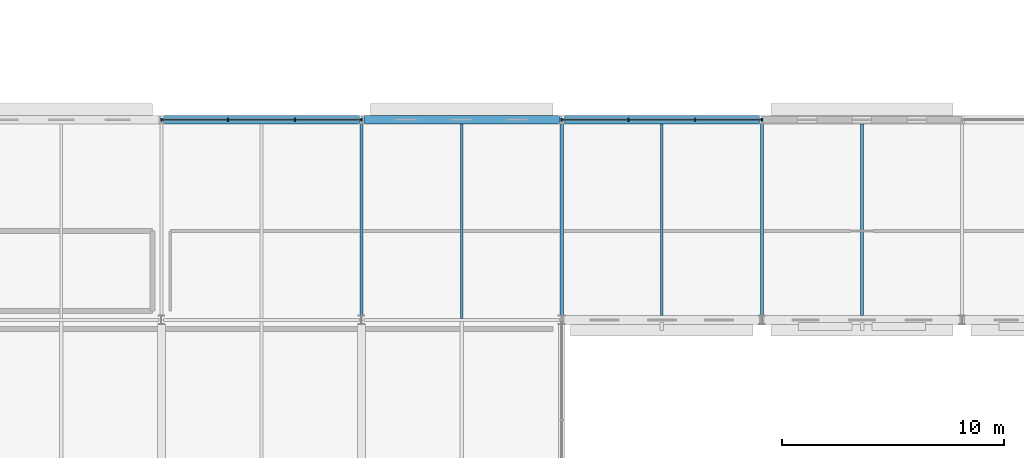
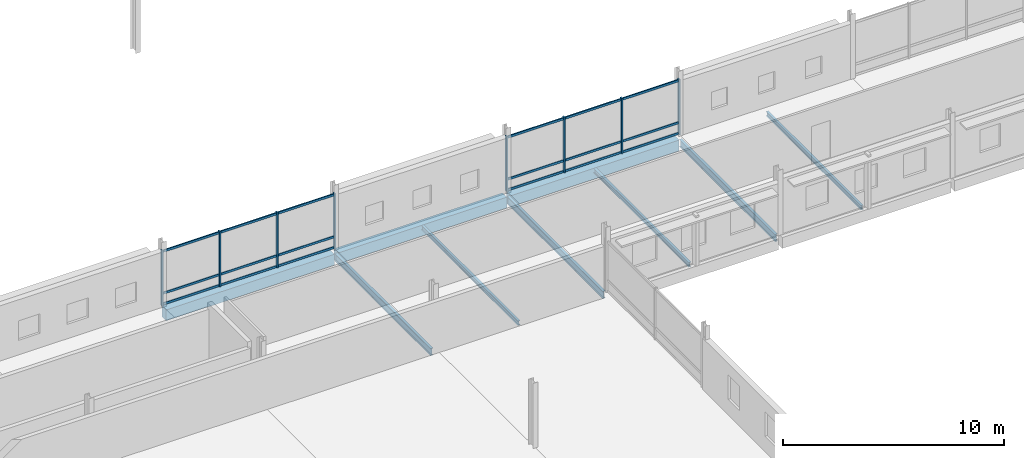
# One storey, part 53 of 132: 26 members, 9 beams, 2 elements without a shape of their own.
"""IFC4 building model written with IfcOpenShell, lengths in metres."""

from ifc_helpers import new_model, si_unit, direction, frame, origin, origin_2d, place, context, subcontext, project, spatial, rectangle, i_section, extrude, material, material_profile, profile_set, type_object, element, aggregate, save


model = new_model("IFC4")

# Units and contexts
model_context = context("Model", 3, precision=1e-05, world=origin(), true_north=direction((0.0, 1.0)))
body_context = subcontext(model_context, "Body", "Model", "MODEL_VIEW")
ifc_project = project(units=[si_unit("LENGTHUNIT", "METRE"), si_unit("AREAUNIT", "SQUARE_METRE"), si_unit("VOLUMEUNIT", "CUBIC_METRE"), si_unit("PLANEANGLEUNIT", "RADIAN"), si_unit("MASSUNIT", "GRAM", prefix="KILO")], contexts=[model_context])

# Site, building, storey
site_placement = place(None, origin())
site = spatial("IfcSite", under=ifc_project, at=site_placement, CompositionType="ELEMENT")
building_placement = place(site_placement, origin())
building = spatial("IfcBuilding", under=site, at=building_placement, Name="Tharagai Park Tramway Depot", CompositionType="ELEMENT")
storey_placement = place(building_placement, frame((0.0, 0.0, 4.800048828125)))
storey = spatial("IfcBuildingStorey", under=building, at=storey_placement, Name="L01", CompositionType="ELEMENT", Elevation=4.800048828125)

# Beams
ifc_material_1 = material(Name="Steel E350", Category="steel")
ifc_material_profile_1 = material_profile(ifc_material_1, i_section(OverallWidth=0.139892578125, OverallDepth=0.39990234375, WebThickness=0.0087890625, FlangeThickness=0.01611328125, FilletRadius=0.013916015625, at=origin_2d()), Name="ISMB 400")
ifc_profile_set_1 = profile_set([ifc_material_profile_1], Name="Steel E350")
beam_type_1 = type_object("IfcBeamType", Name="BM-06", PredefinedType="BEAM", material=ifc_profile_set_1)
for number, where, z_axis, x_axis, name in (
    (1, (81.0, 90.175048828125, -0.380126953125), (0.0, 1.0, 0.0), (-1.0, 0.0, 0.0), "L01 Grid Beam BM-06"),
    (2, (90.0, 90.175048828125, -0.380126953125), (0.0, 1.0, 0.0), (-1.0, 0.0, 0.0), "L01 Grid Beam BM-06"),
    (3, (99.0, 90.175048828125, -0.380126953125), (0.0, 1.0, 0.0), (-1.0, 0.0, 0.0), "L01 Grid Beam BM-06"),
):
    element("IfcBeam", number, at=place(storey_placement, frame(where, z_axis=z_axis, x_axis=x_axis)), inside=storey, type_object=beam_type_1, Name=name, PredefinedType="BEAM", context=body_context, shape_type="SweptSolid", body=[
        extrude(i_section(OverallWidth=0.139892578125, OverallDepth=0.39990234375, WebThickness=0.0087890625, FlangeThickness=0.01611328125, FilletRadius=0.013916015625, at=origin_2d()), origin(), (0.0, 0.0, 1.0), 8.675048828125),
    ])

# Curtain wall, members
ifc_material_2 = material(Name="Anodised aluminium", Category="aluminium")
curtain_wall_type = type_object("IfcCurtainWallType", Name="CW-01", PredefinedType="NOTDEFINED", material=ifc_material_2)
curtain_wall_1_placement = place(storey_placement, origin())
curtain_wall_1 = element("IfcCurtainWall", 4, at=curtain_wall_1_placement, inside=storey, type_object=curtain_wall_type, Name="L01 V1 Gothic Mullioned Curtain Wall CW-01", PredefinedType="NOTDEFINED")
ifc_material_profile_2 = material_profile(ifc_material_2, rectangle(XDim=0.06494140625, YDim=0.1201171875, at=origin_2d()), Name="ALU 65x120")
ifc_profile_set_2 = profile_set([ifc_material_profile_2], Name="Anodised aluminium")
member_type_1 = type_object("IfcMemberType", Name="CM-01", PredefinedType="USERDEFINED", material=ifc_profile_set_2)
member_1_placement = place(storey_placement, frame((72.010986328125, 99.0, 0.06005859375), z_axis=(1.0, 0.0, 0.0), x_axis=(0.0, 1.0, 0.0)))
member_1 = element("IfcMember", 5, at=member_1_placement, type_object=member_type_1, Name="L01 V1 Gothic Mullioned Curtain Wall Transom 1.1", ObjectType="TRANSOM", PredefinedType="USERDEFINED", context=body_context, shape_type="SweptSolid", body=[
    extrude(rectangle(XDim=0.06494140625, YDim=0.1201171875, at=origin_2d()), origin(), (0.0, 0.0, 1.0), 2.97265625),
])
member_2_placement = place(storey_placement, frame((72.010986328125, 99.0, 0.64990234375), z_axis=(1.0, 0.0, 0.0), x_axis=(0.0, 1.0, 0.0)))
member_2 = element("IfcMember", 6, at=member_2_placement, type_object=member_type_1, Name="L01 V1 Gothic Mullioned Curtain Wall Transom 1.2", ObjectType="TRANSOM", PredefinedType="USERDEFINED", context=body_context, shape_type="SweptSolid", body=[
    extrude(rectangle(XDim=0.06494140625, YDim=0.1201171875, at=origin_2d()), origin(), (0.0, 0.0, 1.0), 2.97265625),
])
member_3_placement = place(storey_placement, frame((72.010986328125, 99.0, 2.969970703125), z_axis=(1.0, 0.0, 0.0), x_axis=(0.0, 1.0, 0.0)))
member_3 = element("IfcMember", 7, at=member_3_placement, type_object=member_type_1, Name="L01 V1 Gothic Mullioned Curtain Wall Transom 1.3", ObjectType="TRANSOM", PredefinedType="USERDEFINED", context=body_context, shape_type="SweptSolid", body=[
    extrude(rectangle(XDim=0.06494140625, YDim=0.1201171875, at=origin_2d()), origin(), (0.0, 0.0, 1.0), 2.97265625),
])
member_4_placement = place(storey_placement, frame((75.013671875, 99.0, 0.06005859375), z_axis=(1.0, 0.0, 0.0), x_axis=(0.0, 1.0, 0.0)))
member_4 = element("IfcMember", 8, at=member_4_placement, type_object=member_type_1, Name="L01 V1 Gothic Mullioned Curtain Wall Transom 2.1", ObjectType="TRANSOM", PredefinedType="USERDEFINED", context=body_context, shape_type="SweptSolid", body=[
    extrude(rectangle(XDim=0.06494140625, YDim=0.1201171875, at=origin_2d()), origin(), (0.0, 0.0, 1.0), 2.97265625),
])
member_5_placement = place(storey_placement, frame((75.013671875, 99.0, 0.64990234375), z_axis=(1.0, 0.0, 0.0), x_axis=(0.0, 1.0, 0.0)))
member_5 = element("IfcMember", 9, at=member_5_placement, type_object=member_type_1, Name="L01 V1 Gothic Mullioned Curtain Wall Transom 2.2", ObjectType="TRANSOM", PredefinedType="USERDEFINED", context=body_context, shape_type="SweptSolid", body=[
    extrude(rectangle(XDim=0.06494140625, YDim=0.1201171875, at=origin_2d()), origin(), (0.0, 0.0, 1.0), 2.97265625),
])
member_6_placement = place(storey_placement, frame((75.013671875, 99.0, 2.969970703125), z_axis=(1.0, 0.0, 0.0), x_axis=(0.0, 1.0, 0.0)))
member_6 = element("IfcMember", 10, at=member_6_placement, type_object=member_type_1, Name="L01 V1 Gothic Mullioned Curtain Wall Transom 2.3", ObjectType="TRANSOM", PredefinedType="USERDEFINED", context=body_context, shape_type="SweptSolid", body=[
    extrude(rectangle(XDim=0.06494140625, YDim=0.1201171875, at=origin_2d()), origin(), (0.0, 0.0, 1.0), 2.97265625),
])
member_7_placement = place(storey_placement, frame((78.016357421875, 99.0, 0.06005859375), z_axis=(1.0, 0.0, 0.0), x_axis=(0.0, 1.0, 0.0)))
member_7 = element("IfcMember", 11, at=member_7_placement, type_object=member_type_1, Name="L01 V1 Gothic Mullioned Curtain Wall Transom 3.1", ObjectType="TRANSOM", PredefinedType="USERDEFINED", context=body_context, shape_type="SweptSolid", body=[
    extrude(rectangle(XDim=0.06494140625, YDim=0.1201171875, at=origin_2d()), origin(), (0.0, 0.0, 1.0), 2.97265625),
])
member_8_placement = place(storey_placement, frame((78.016357421875, 99.0, 0.64990234375), z_axis=(1.0, 0.0, 0.0), x_axis=(0.0, 1.0, 0.0)))
member_8 = element("IfcMember", 12, at=member_8_placement, type_object=member_type_1, Name="L01 V1 Gothic Mullioned Curtain Wall Transom 3.2", ObjectType="TRANSOM", PredefinedType="USERDEFINED", context=body_context, shape_type="SweptSolid", body=[
    extrude(rectangle(XDim=0.06494140625, YDim=0.1201171875, at=origin_2d()), origin(), (0.0, 0.0, 1.0), 2.97265625),
])
member_9_placement = place(storey_placement, frame((78.016357421875, 99.0, 2.969970703125), z_axis=(1.0, 0.0, 0.0), x_axis=(0.0, 1.0, 0.0)))
member_9 = element("IfcMember", 13, at=member_9_placement, type_object=member_type_1, Name="L01 V1 Gothic Mullioned Curtain Wall Transom 3.3", ObjectType="TRANSOM", PredefinedType="USERDEFINED", context=body_context, shape_type="SweptSolid", body=[
    extrude(rectangle(XDim=0.06494140625, YDim=0.1201171875, at=origin_2d()), origin(), (0.0, 0.0, 1.0), 2.97265625),
])

curtain_wall_2_placement = place(storey_placement, origin())
curtain_wall_2 = element("IfcCurtainWall", 14, at=curtain_wall_2_placement, inside=storey, type_object=curtain_wall_type, Name="L01 V1 Gothic Mullioned Curtain Wall CW-01", PredefinedType="NOTDEFINED")
member_10_placement = place(storey_placement, frame((90.010986328125, 99.0, 0.06005859375), z_axis=(1.0, 0.0, 0.0), x_axis=(0.0, 1.0, 0.0)))
member_10 = element("IfcMember", 15, at=member_10_placement, type_object=member_type_1, Name="L01 V1 Gothic Mullioned Curtain Wall Transom 1.1", ObjectType="TRANSOM", PredefinedType="USERDEFINED", context=body_context, shape_type="SweptSolid", body=[
    extrude(rectangle(XDim=0.06494140625, YDim=0.1201171875, at=origin_2d()), origin(), (0.0, 0.0, 1.0), 2.97265625),
])
member_11_placement = place(storey_placement, frame((90.010986328125, 99.0, 0.64990234375), z_axis=(1.0, 0.0, 0.0), x_axis=(0.0, 1.0, 0.0)))
member_11 = element("IfcMember", 16, at=member_11_placement, type_object=member_type_1, Name="L01 V1 Gothic Mullioned Curtain Wall Transom 1.2", ObjectType="TRANSOM", PredefinedType="USERDEFINED", context=body_context, shape_type="SweptSolid", body=[
    extrude(rectangle(XDim=0.06494140625, YDim=0.1201171875, at=origin_2d()), origin(), (0.0, 0.0, 1.0), 2.97265625),
])
member_12_placement = place(storey_placement, frame((90.010986328125, 99.0, 2.969970703125), z_axis=(1.0, 0.0, 0.0), x_axis=(0.0, 1.0, 0.0)))
member_12 = element("IfcMember", 17, at=member_12_placement, type_object=member_type_1, Name="L01 V1 Gothic Mullioned Curtain Wall Transom 1.3", ObjectType="TRANSOM", PredefinedType="USERDEFINED", context=body_context, shape_type="SweptSolid", body=[
    extrude(rectangle(XDim=0.06494140625, YDim=0.1201171875, at=origin_2d()), origin(), (0.0, 0.0, 1.0), 2.97265625),
])
member_13_placement = place(storey_placement, frame((93.013671875, 99.0, 0.06005859375), z_axis=(1.0, 0.0, 0.0), x_axis=(0.0, 1.0, 0.0)))
member_13 = element("IfcMember", 18, at=member_13_placement, type_object=member_type_1, Name="L01 V1 Gothic Mullioned Curtain Wall Transom 2.1", ObjectType="TRANSOM", PredefinedType="USERDEFINED", context=body_context, shape_type="SweptSolid", body=[
    extrude(rectangle(XDim=0.06494140625, YDim=0.1201171875, at=origin_2d()), origin(), (0.0, 0.0, 1.0), 2.97265625),
])
member_14_placement = place(storey_placement, frame((93.013671875, 99.0, 0.64990234375), z_axis=(1.0, 0.0, 0.0), x_axis=(0.0, 1.0, 0.0)))
member_14 = element("IfcMember", 19, at=member_14_placement, type_object=member_type_1, Name="L01 V1 Gothic Mullioned Curtain Wall Transom 2.2", ObjectType="TRANSOM", PredefinedType="USERDEFINED", context=body_context, shape_type="SweptSolid", body=[
    extrude(rectangle(XDim=0.06494140625, YDim=0.1201171875, at=origin_2d()), origin(), (0.0, 0.0, 1.0), 2.97265625),
])
member_15_placement = place(storey_placement, frame((93.013671875, 99.0, 2.969970703125), z_axis=(1.0, 0.0, 0.0), x_axis=(0.0, 1.0, 0.0)))
member_15 = element("IfcMember", 20, at=member_15_placement, type_object=member_type_1, Name="L01 V1 Gothic Mullioned Curtain Wall Transom 2.3", ObjectType="TRANSOM", PredefinedType="USERDEFINED", context=body_context, shape_type="SweptSolid", body=[
    extrude(rectangle(XDim=0.06494140625, YDim=0.1201171875, at=origin_2d()), origin(), (0.0, 0.0, 1.0), 2.97265625),
])
member_16_placement = place(storey_placement, frame((96.016357421875, 99.0, 0.06005859375), z_axis=(1.0, 0.0, 0.0), x_axis=(0.0, 1.0, 0.0)))
member_16 = element("IfcMember", 21, at=member_16_placement, type_object=member_type_1, Name="L01 V1 Gothic Mullioned Curtain Wall Transom 3.1", ObjectType="TRANSOM", PredefinedType="USERDEFINED", context=body_context, shape_type="SweptSolid", body=[
    extrude(rectangle(XDim=0.06494140625, YDim=0.1201171875, at=origin_2d()), origin(), (0.0, 0.0, 1.0), 2.97265625),
])
member_17_placement = place(storey_placement, frame((96.016357421875, 99.0, 0.64990234375), z_axis=(1.0, 0.0, 0.0), x_axis=(0.0, 1.0, 0.0)))
member_17 = element("IfcMember", 22, at=member_17_placement, type_object=member_type_1, Name="L01 V1 Gothic Mullioned Curtain Wall Transom 3.2", ObjectType="TRANSOM", PredefinedType="USERDEFINED", context=body_context, shape_type="SweptSolid", body=[
    extrude(rectangle(XDim=0.06494140625, YDim=0.1201171875, at=origin_2d()), origin(), (0.0, 0.0, 1.0), 2.97265625),
])
member_18_placement = place(storey_placement, frame((96.016357421875, 99.0, 2.969970703125), z_axis=(1.0, 0.0, 0.0), x_axis=(0.0, 1.0, 0.0)))
member_18 = element("IfcMember", 23, at=member_18_placement, type_object=member_type_1, Name="L01 V1 Gothic Mullioned Curtain Wall Transom 3.3", ObjectType="TRANSOM", PredefinedType="USERDEFINED", context=body_context, shape_type="SweptSolid", body=[
    extrude(rectangle(XDim=0.06494140625, YDim=0.1201171875, at=origin_2d()), origin(), (0.0, 0.0, 1.0), 2.97265625),
])

# Member
ifc_material_profile_3 = material_profile(ifc_material_2, rectangle(XDim=0.06494140625, YDim=0.14990234375, at=origin_2d()), Name="ALU 65x150")
ifc_profile_set_3 = profile_set([ifc_material_profile_3], Name="Anodised aluminium")
member_type_2 = type_object("IfcMemberType", Name="CM-03", PredefinedType="MULLION", material=ifc_profile_set_3)
member_19_placement = place(storey_placement, frame((71.99609375, 99.0, -0.005126953125), z_axis=(0.0, 0.0, 1.0), x_axis=(1.0, 0.0, 0.0)))
member_19 = element("IfcMember", 24, at=member_19_placement, type_object=member_type_2, Name="L01 V1 Gothic Mullioned Curtain Wall Mullion 1", PredefinedType="MULLION", context=body_context, shape_type="SweptSolid", body=[
    extrude(rectangle(XDim=0.06494140625, YDim=0.14990234375, at=origin_2d()), origin(), (0.0, 0.0, 1.0), 3.06005859375),
])

member_20_placement = place(storey_placement, frame((74.998779296875, 99.0, -0.005126953125), z_axis=(0.0, 0.0, 1.0), x_axis=(1.0, 0.0, 0.0)))
member_20 = element("IfcMember", 25, at=member_20_placement, type_object=member_type_2, Name="L01 V1 Gothic Mullioned Curtain Wall Mullion 2", PredefinedType="MULLION", context=body_context, shape_type="SweptSolid", body=[
    extrude(rectangle(XDim=0.06494140625, YDim=0.14990234375, at=origin_2d()), origin(), (0.0, 0.0, 1.0), 3.06005859375),
])

member_21_placement = place(storey_placement, frame((78.001220703125, 99.0, -0.005126953125), z_axis=(0.0, 0.0, 1.0), x_axis=(1.0, 0.0, 0.0)))
member_21 = element("IfcMember", 26, at=member_21_placement, type_object=member_type_2, Name="L01 V1 Gothic Mullioned Curtain Wall Mullion 3", PredefinedType="MULLION", context=body_context, shape_type="SweptSolid", body=[
    extrude(rectangle(XDim=0.06494140625, YDim=0.14990234375, at=origin_2d()), origin(), (0.0, 0.0, 1.0), 3.06005859375),
])

member_22_placement = place(storey_placement, frame((81.00390625, 99.0, -0.005126953125), z_axis=(0.0, 0.0, 1.0), x_axis=(1.0, 0.0, 0.0)))
member_22 = element("IfcMember", 27, at=member_22_placement, type_object=member_type_2, Name="L01 V1 Gothic Mullioned Curtain Wall Mullion 4", PredefinedType="MULLION", context=body_context, shape_type="SweptSolid", body=[
    extrude(rectangle(XDim=0.06494140625, YDim=0.14990234375, at=origin_2d()), origin(), (0.0, 0.0, 1.0), 3.06005859375),
])

aggregate(curtain_wall_1, [member_19, member_20, member_21, member_22, member_1, member_2, member_3, member_4, member_5, member_6, member_7, member_8, member_9])

member_23_placement = place(storey_placement, frame((89.99609375, 99.0, -0.005126953125), z_axis=(0.0, 0.0, 1.0), x_axis=(1.0, 0.0, 0.0)))
member_23 = element("IfcMember", 28, at=member_23_placement, type_object=member_type_2, Name="L01 V1 Gothic Mullioned Curtain Wall Mullion 1", PredefinedType="MULLION", context=body_context, shape_type="SweptSolid", body=[
    extrude(rectangle(XDim=0.06494140625, YDim=0.14990234375, at=origin_2d()), origin(), (0.0, 0.0, 1.0), 3.06005859375),
])

member_24_placement = place(storey_placement, frame((92.998779296875, 99.0, -0.005126953125), z_axis=(0.0, 0.0, 1.0), x_axis=(1.0, 0.0, 0.0)))
member_24 = element("IfcMember", 29, at=member_24_placement, type_object=member_type_2, Name="L01 V1 Gothic Mullioned Curtain Wall Mullion 2", PredefinedType="MULLION", context=body_context, shape_type="SweptSolid", body=[
    extrude(rectangle(XDim=0.06494140625, YDim=0.14990234375, at=origin_2d()), origin(), (0.0, 0.0, 1.0), 3.06005859375),
])

member_25_placement = place(storey_placement, frame((96.001220703125, 99.0, -0.005126953125), z_axis=(0.0, 0.0, 1.0), x_axis=(1.0, 0.0, 0.0)))
member_25 = element("IfcMember", 30, at=member_25_placement, type_object=member_type_2, Name="L01 V1 Gothic Mullioned Curtain Wall Mullion 3", PredefinedType="MULLION", context=body_context, shape_type="SweptSolid", body=[
    extrude(rectangle(XDim=0.06494140625, YDim=0.14990234375, at=origin_2d()), origin(), (0.0, 0.0, 1.0), 3.06005859375),
])

member_26_placement = place(storey_placement, frame((99.00390625, 99.0, -0.005126953125), z_axis=(0.0, 0.0, 1.0), x_axis=(1.0, 0.0, 0.0)))
member_26 = element("IfcMember", 31, at=member_26_placement, type_object=member_type_2, Name="L01 V1 Gothic Mullioned Curtain Wall Mullion 4", PredefinedType="MULLION", context=body_context, shape_type="SweptSolid", body=[
    extrude(rectangle(XDim=0.06494140625, YDim=0.14990234375, at=origin_2d()), origin(), (0.0, 0.0, 1.0), 3.06005859375),
])

aggregate(curtain_wall_2, [member_23, member_24, member_25, member_26, member_10, member_11, member_12, member_13, member_14, member_15, member_16, member_17, member_18])

# Beams
ifc_material_3 = material(Name="Steel E250", Category="steel")
ifc_material_profile_4 = material_profile(ifc_material_3, i_section(OverallWidth=0.125, OverallDepth=0.25, WebThickness=0.0068359375, FlangeThickness=0.012451171875, FilletRadius=0.012939453125, at=origin_2d()), Name="ISMB 250")
ifc_profile_set_4 = profile_set([ifc_material_profile_4], Name="Steel E250")
beam_type_2 = type_object("IfcBeamType", Name="JT-02", PredefinedType="JOIST", material=ifc_profile_set_4)
beam_placement = place(storey_placement, frame((85.5, 90.074951171875, -0.304931640625), z_axis=(0.0, 1.0, 0.0), x_axis=(-1.0, 0.0, 0.0)))
element("IfcBeam", 32, at=beam_placement, inside=storey, type_object=beam_type_2, Name="L01 Secondary Joist JT-02", PredefinedType="JOIST", context=body_context, shape_type="SweptSolid", body=[
    extrude(i_section(OverallWidth=0.125, OverallDepth=0.25, WebThickness=0.0068359375, FlangeThickness=0.012451171875, FilletRadius=0.012939453125, at=origin_2d()), origin(), (0.0, 0.0, 1.0), 8.72509765625),
])
for number, where, z_axis, x_axis, name in (
    (33, (94.5, 90.199951171875, -0.304931640625), (0.0, 1.0, 0.0), (-1.0, 0.0, 0.0), "L01 Secondary Joist JT-02"),
    (34, (103.5, 90.199951171875, -0.304931640625), (0.0, 1.0, 0.0), (-1.0, 0.0, 0.0), "L01 Secondary Joist JT-02"),
):
    element("IfcBeam", number, at=place(storey_placement, frame(where, z_axis=z_axis, x_axis=x_axis)), inside=storey, type_object=beam_type_2, Name=name, PredefinedType="JOIST", context=body_context, shape_type="SweptSolid", body=[
        extrude(i_section(OverallWidth=0.125, OverallDepth=0.25, WebThickness=0.0068359375, FlangeThickness=0.012451171875, FilletRadius=0.012939453125, at=origin_2d()), origin(), (0.0, 0.0, 1.0), 8.60009765625),
    ])
ifc_material_4 = material(Name="Concrete M35", Category="concrete")
ifc_material_profile_5 = material_profile(ifc_material_4, rectangle(XDim=0.39990234375, YDim=0.60009765625, at=origin_2d()), Name="RC 400x600")
ifc_profile_set_5 = profile_set([ifc_material_profile_5], Name="Concrete M35")
beam_type_3 = type_object("IfcBeamType", Name="SP-02", PredefinedType="SPANDREL", material=ifc_profile_set_5)
for number, where, z_axis, x_axis, name in (
    (35, (72.10009765625, 99.0, -0.47998046875), (1.0, 0.0, 0.0), (0.0, 1.0, 0.0), "L01 Grid Beam SP-02"),
    (36, (81.10009765625, 99.0, -0.47998046875), (1.0, 0.0, 0.0), (0.0, 1.0, 0.0), "L01 Grid Beam SP-02"),
    (37, (90.10009765625, 99.0, -0.47998046875), (1.0, 0.0, 0.0), (0.0, 1.0, 0.0), "L01 Grid Beam SP-02"),
):
    element("IfcBeam", number, at=place(storey_placement, frame(where, z_axis=z_axis, x_axis=x_axis)), inside=storey, type_object=beam_type_3, Name=name, PredefinedType="SPANDREL", context=body_context, shape_type="SweptSolid", body=[
        extrude(rectangle(XDim=0.39990234375, YDim=0.60009765625, at=origin_2d()), origin(), (0.0, 0.0, 1.0), 8.7998046875),
    ])

save(model, "model.ifc")
